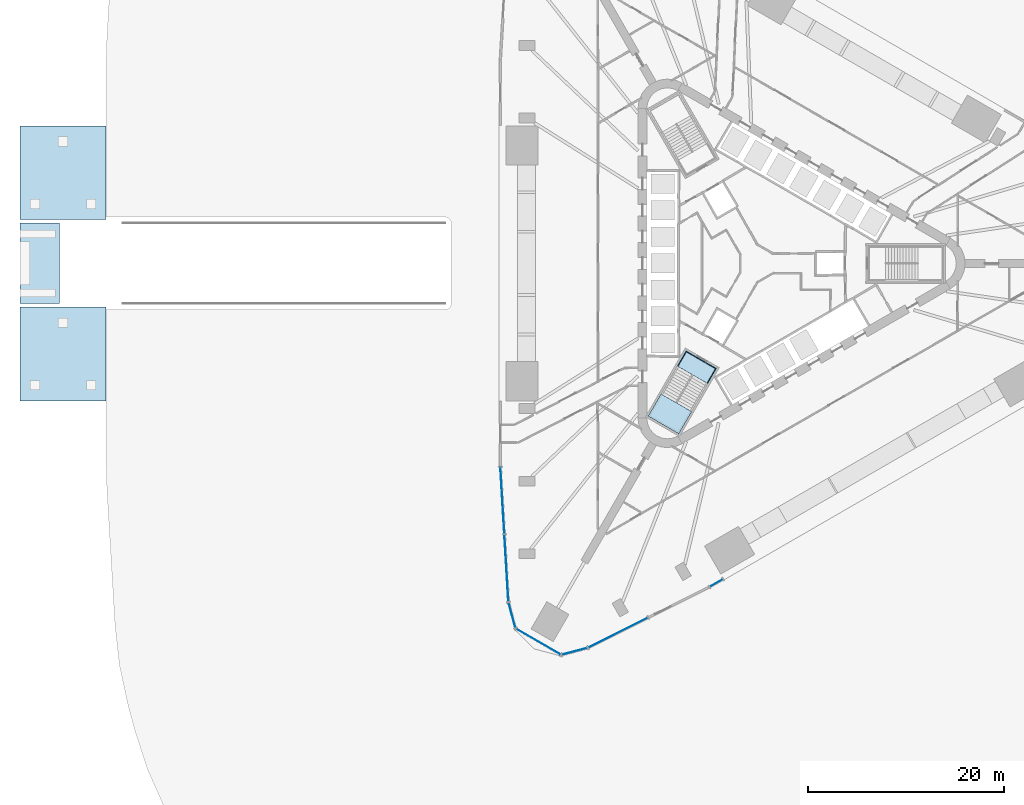
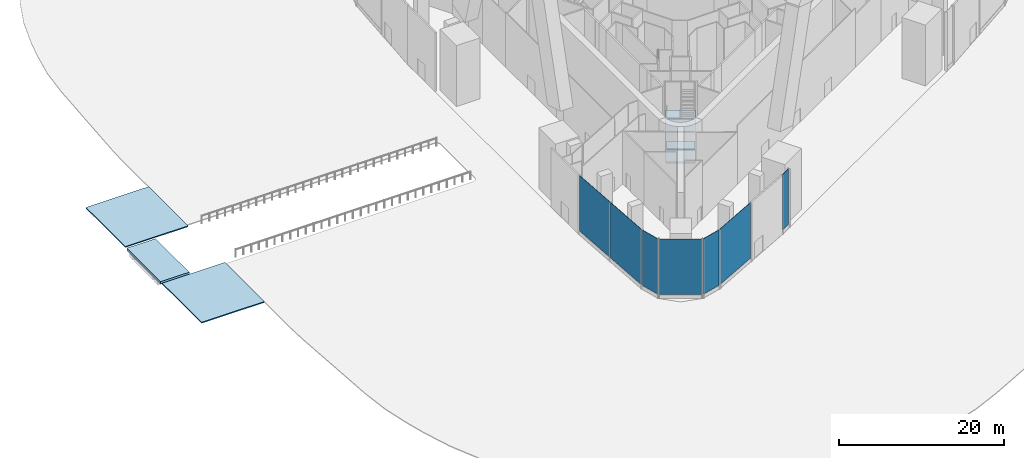
# One storey, part 9 of 22: 7 plates, 7 slabs, 7 elements without a shape of their own.
"""IFC4 building model written with IfcOpenShell, lengths in metres."""

from ifc_helpers import new_model, si_unit, direction, frame, origin, origin_2d, place, context, subcontext, project, spatial, polyline, rectangle, outline, extrude, material, layer, layer_set, type_object, element, aggregate, save


model = new_model("IFC4")

# Units and contexts
model_context = context("Model", 3, precision=1e-05, world=origin(), true_north=direction((0.0, 1.0)))
body_context = subcontext(model_context, "Body", "Model", "MODEL_VIEW")
ifc_project = project(units=[si_unit("LENGTHUNIT", "METRE"), si_unit("AREAUNIT", "SQUARE_METRE"), si_unit("VOLUMEUNIT", "CUBIC_METRE"), si_unit("PLANEANGLEUNIT", "RADIAN"), si_unit("MASSUNIT", "GRAM", prefix="KILO")], contexts=[model_context])

# Site, building, storey
site_placement = place(None, origin())
site = spatial("IfcSite", under=ifc_project, at=site_placement, CompositionType="ELEMENT")
building_placement = place(site_placement, origin())
building = spatial("IfcBuilding", under=site, at=building_placement, Name="Tanit Gate Tower", CompositionType="ELEMENT")
storey_placement = place(building_placement, origin())
storey = spatial("IfcBuildingStorey", under=building, at=storey_placement, Name="L00", CompositionType="ELEMENT", Elevation=0.0)

# Curtain wall, plates
ifc_material_1 = material(Name="Aluminium bronze anodised and glass", Category="aluminium")
curtain_wall_type = type_object("IfcCurtainWallType", Name="Curtain wall shopfront", PredefinedType="NOTDEFINED", material=ifc_material_1)
curtain_wall_1_placement = place(storey_placement, origin())
curtain_wall_1 = element("IfcCurtainWall", 1, at=curtain_wall_1_placement, inside=storey, type_object=curtain_wall_type, Name="Curtain wall L00 W3", PredefinedType="NOTDEFINED")
ifc_material_2 = material(Name="Glass tinted laminated safety", Category="glass")
ifc_layer_1 = layer(ifc_material_2, 0.0380859375)
ifc_layer_set_1 = layer_set([ifc_layer_1], Name="Glass panel 38 shopfront")
plate_type = type_object("IfcPlateType", Name="Glass panel 38 shopfront", PredefinedType="CURTAIN_PANEL", material=ifc_layer_set_1)
plate_1_placement = place(storey_placement, frame((-25.900146484375, -24.1494140625, 0.5), z_axis=(0.0, 0.0, 1.0), x_axis=(0.059604633121, -0.998222063326, 0.0)))
plate_1 = element("IfcPlate", 2, at=plate_1_placement, type_object=plate_type, Name="Glass panel L00 W3.1", PredefinedType="CURTAIN_PANEL", context=body_context, shape_type="SweptSolid", body=[
    extrude(rectangle(XDim=6.78076171875, YDim=0.0380859375, at=origin_2d()), origin(), (0.0, 0.0, 1.0), 8.199951171875),
])
plate_2_placement = place(storey_placement, frame((-25.4912109375, -30.998046875, 0.5), z_axis=(0.0, 0.0, 1.0), x_axis=(0.059604633121, -0.998222063326, 0.0)))
plate_2 = element("IfcPlate", 3, at=plate_2_placement, type_object=plate_type, Name="Glass panel L00 W3.2", PredefinedType="CURTAIN_PANEL", context=body_context, shape_type="SweptSolid", body=[
    extrude(rectangle(XDim=6.78076171875, YDim=0.0380859375, at=origin_2d()), origin(), (0.0, 0.0, 1.0), 8.199951171875),
])
aggregate(curtain_wall_1, [plate_1, plate_2])

# Curtain wall, plate
curtain_wall_2_placement = place(storey_placement, origin())
curtain_wall_2 = element("IfcCurtainWall", 4, at=curtain_wall_2_placement, inside=storey, type_object=curtain_wall_type, Name="Curtain wall L00 SW.arc1", PredefinedType="NOTDEFINED")
plate_3_placement = place(storey_placement, frame((-24.921875, -35.814697265625, 0.5), z_axis=(0.0, 0.0, 1.0), x_axis=(0.258819045103, -0.965925826289, 0.0)))
plate_3 = element("IfcPlate", 5, at=plate_3_placement, type_object=plate_type, Name="Glass panel L00 SW.arc1.1", PredefinedType="CURTAIN_PANEL", context=body_context, shape_type="SweptSolid", body=[
    extrude(rectangle(XDim=2.640380859375, YDim=0.0380859375, at=origin_2d()), origin(), (0.0, 0.0, 1.0), 8.199951171875),
])
aggregate(curtain_wall_2, [plate_3])

curtain_wall_3_placement = place(storey_placement, origin())
curtain_wall_3 = element("IfcCurtainWall", 6, at=curtain_wall_3_placement, inside=storey, type_object=curtain_wall_type, Name="Curtain wall L00 SW.arc2", PredefinedType="NOTDEFINED")
plate_4_placement = place(storey_placement, frame((-22.233642578125, -38.510009765625, 0.5), z_axis=(0.0, 0.0, 1.0), x_axis=(0.866025403784, -0.5, 0.0)))
plate_4 = element("IfcPlate", 7, at=plate_4_placement, type_object=plate_type, Name="Glass panel L00 SW.arc2.1", PredefinedType="CURTAIN_PANEL", context=body_context, shape_type="SweptSolid", body=[
    extrude(rectangle(XDim=5.211181640625, YDim=0.0380859375, at=origin_2d()), origin(), (0.0, 0.0, 1.0), 8.199951171875),
])
aggregate(curtain_wall_3, [plate_4])

curtain_wall_4_placement = place(storey_placement, origin())
curtain_wall_4 = element("IfcCurtainWall", 8, at=curtain_wall_4_placement, inside=storey, type_object=curtain_wall_type, Name="Curtain wall L00 SW.arc3", PredefinedType="NOTDEFINED")
plate_5_placement = place(storey_placement, frame((-18.555419921875, -39.490234375, 0.5), z_axis=(0.0, 0.0, 1.0), x_axis=(0.965925826289, 0.258819045103, 0.0)))
plate_5 = element("IfcPlate", 9, at=plate_5_placement, type_object=plate_type, Name="Glass panel L00 SW.arc3.1", PredefinedType="CURTAIN_PANEL", context=body_context, shape_type="SweptSolid", body=[
    extrude(rectangle(XDim=2.640380859375, YDim=0.0380859375, at=origin_2d()), origin(), (0.0, 0.0, 1.0), 8.199951171875),
])
aggregate(curtain_wall_4, [plate_5])

curtain_wall_5_placement = place(storey_placement, origin())
curtain_wall_5 = element("IfcCurtainWall", 10, at=curtain_wall_5_placement, inside=storey, type_object=curtain_wall_type, Name="Curtain wall L00 SE1a", PredefinedType="NOTDEFINED")
plate_6_placement = place(storey_placement, frame((-14.116943359375, -37.58447265625, 0.5), z_axis=(0.0, 0.0, 1.0), x_axis=(0.894380716554, 0.44730653232, 0.0)))
plate_6 = element("IfcPlate", 11, at=plate_6_placement, type_object=plate_type, Name="Glass panel L00 SE1a.1", PredefinedType="CURTAIN_PANEL", context=body_context, shape_type="SweptSolid", body=[
    extrude(rectangle(XDim=6.74072265625, YDim=0.0380859375, at=origin_2d()), origin(), (0.0, 0.0, 1.0), 8.199951171875),
])
aggregate(curtain_wall_5, [plate_6])

curtain_wall_6_placement = place(storey_placement, origin())
curtain_wall_6 = element("IfcCurtainWall", 12, at=curtain_wall_6_placement, inside=storey, type_object=curtain_wall_type, Name="Curtain wall L00 SE2a", PredefinedType="NOTDEFINED")
plate_7_placement = place(storey_placement, frame((-4.12939453125, -32.532958984375, 0.5), z_axis=(0.0, 0.0, 1.0), x_axis=(0.865990732317, 0.500060047936, 0.0)))
plate_7 = element("IfcPlate", 13, at=plate_7_placement, type_object=plate_type, Name="Glass panel L00 SE2a.1", PredefinedType="CURTAIN_PANEL", context=body_context, shape_type="SweptSolid", body=[
    extrude(rectangle(XDim=1.525390625, YDim=0.0380859375, at=origin_2d()), origin(), (0.0, 0.0, 1.0), 8.199951171875),
])
aggregate(curtain_wall_6, [plate_7])

# Stair, slabs
ifc_material_3 = material(Name="Concrete C40/50", Category="concrete")
stair_type = type_object("IfcStairType", Name="INT-STAIR-EXIT", PredefinedType="HALF_TURN_STAIR", material=ifc_material_3)
stair_placement = place(storey_placement, origin())
stair = element("IfcStair", 14, at=stair_placement, inside=storey, type_object=stair_type, Name="L00 STAIR S3", PredefinedType="HALF_TURN_STAIR")
ifc_material_4 = material(Name="Concrete C40/50", Category="concrete")
ifc_layer_2 = layer(ifc_material_4, 0.199951171875)
ifc_layer_set_2 = layer_set([ifc_layer_2], Name="INT-STAIR-LANDING")
slab_type_1 = type_object("IfcSlabType", Name="INT-STAIR-LANDING", PredefinedType="LANDING", material=ifc_layer_set_2)
slab_1_placement = place(storey_placement, frame((0.0, 0.0, 2.050048828125)))
slab_1 = element("IfcSlab", 15, at=slab_1_placement, type_object=slab_type_1, Name="S3 landing 1", PredefinedType="LANDING", context=body_context, shape_type="SweptSolid", body=[
    extrude(outline(polyline([(-9.75146484375, -13.289794921875), (-11.058837890625, -15.554443359375), (-7.941162109375, -17.3544921875), (-6.633544921875, -15.08984375), (-9.75146484375, -13.289794921875)])), origin(), (0.0, 0.0, 1.0), 0.199951171875),
])
slab_2_placement = place(storey_placement, frame((0.0, 0.0, 4.300048828125)))
slab_2 = element("IfcSlab", 16, at=slab_2_placement, type_object=slab_type_1, Name="S3 landing 2", PredefinedType="LANDING", context=body_context, shape_type="SweptSolid", body=[
    extrude(outline(polyline([(-7.208740234375, -8.885986328125), (-8.111328125, -10.44921875), (-4.99365234375, -12.249267578125), (-4.091064453125, -10.68603515625), (-7.208740234375, -8.885986328125)])), origin(), (0.0, 0.0, 1.0), 0.199951171875),
])
slab_3_placement = place(storey_placement, frame((0.0, 0.0, 6.550048828125)))
slab_3 = element("IfcSlab", 17, at=slab_3_placement, type_object=slab_type_1, Name="S3 landing 3", PredefinedType="LANDING", context=body_context, shape_type="SweptSolid", body=[
    extrude(outline(polyline([(-9.75146484375, -13.289794921875), (-11.058837890625, -15.554443359375), (-7.941162109375, -17.3544921875), (-6.633544921875, -15.08984375), (-9.75146484375, -13.289794921875)])), origin(), (0.0, 0.0, 1.0), 0.199951171875),
])
aggregate(stair, [slab_1, slab_2, slab_3])

# Slabs
slab_4_placement = place(storey_placement, frame((0.0, 0.0, -0.199951171875)))
element("IfcSlab", 18, at=slab_4_placement, inside=storey, type_object=slab_type_1, Name="S3 floor landing", PredefinedType="LANDING", context=body_context, shape_type="SweptSolid", body=[
    extrude(outline(polyline([(-7.179443359375, -8.995361328125), (-8.0419921875, -10.4892578125), (-5.06298828125, -12.209228515625), (-4.200439453125, -10.71533203125), (-7.179443359375, -8.995361328125)])), origin(), (0.0, 0.0, 1.0), 0.199951171875),
])
ifc_material_5 = material(Name="Concrete paving C35/45", Category="concrete")
ifc_layer_3 = layer(ifc_material_5, 0.14990234375)
ifc_layer_set_3 = layer_set([ifc_layer_3], Name="Plaza paving stone 80")
slab_type_2 = type_object("IfcSlabType", Name="Plaza paving stone 80", PredefinedType="USERDEFINED", material=ifc_layer_set_3)
slab_5_placement = place(storey_placement, frame((0.0, 0.0, -0.14990234375)))
element("IfcSlab", 19, at=slab_5_placement, inside=storey, type_object=slab_type_2, Name="Street paving at the vehicle ramp", ObjectType="PAVING", PredefinedType="USERDEFINED", context=body_context, shape_type="SweptSolid", body=[
    extrude(outline(polyline([(-66.229736328125, -14.0), (-75.0, -14.0), (-75.0, -4.449951171875), (-66.229736328125, -4.449951171875), (-66.229736328125, -14.0)])), origin(), (0.0, 0.0, 1.0), 0.14990234375),
])
slab_6_placement = place(storey_placement, frame((0.0, 0.0, -0.14990234375)))
element("IfcSlab", 20, at=slab_6_placement, inside=storey, type_object=slab_type_2, Name="Street paving at the vehicle ramp", ObjectType="PAVING", PredefinedType="USERDEFINED", context=body_context, shape_type="SweptSolid", body=[
    extrude(outline(polyline([(-75.0, 14.0), (-66.229736328125, 14.0), (-66.229736328125, 4.449951171875), (-75.0, 4.449951171875), (-75.0, 14.0)])), origin(), (0.0, 0.0, 1.0), 0.14990234375),
])
ifc_material_6 = material(Name="Concrete C35/45", Category="concrete")
ifc_layer_4 = layer(ifc_material_6, 0.39990234375)
ifc_layer_set_4 = layer_set([ifc_layer_4], Name="ROAD APRON SLAB 400 C35/45")
slab_type_3 = type_object("IfcSlabType", Name="ROAD APRON SLAB 400 C35/45", PredefinedType="BASESLAB", material=ifc_layer_set_4)
slab_7_placement = place(storey_placement, frame((0.0, 0.0, -0.39990234375)))
element("IfcSlab", 21, at=slab_7_placement, inside=storey, type_object=slab_type_3, Name="ROAD APRON SLAB", PredefinedType="BASESLAB", context=body_context, shape_type="SweptSolid", body=[
    extrude(outline(polyline([(-71.0, -4.10009765625), (-75.0, -4.10009765625), (-75.0, 4.10009765625), (-71.0, 4.10009765625), (-71.0, -4.10009765625)])), origin(), (0.0, 0.0, 1.0), 0.39990234375),
])

save(model, "model.ifc")
